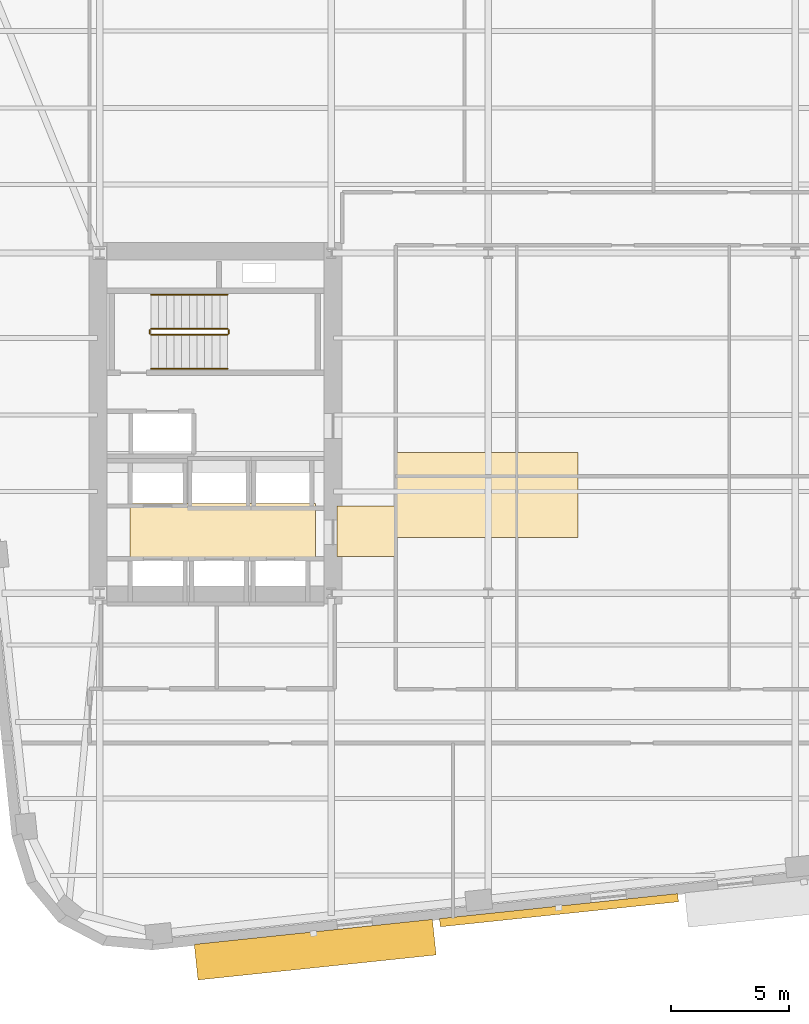
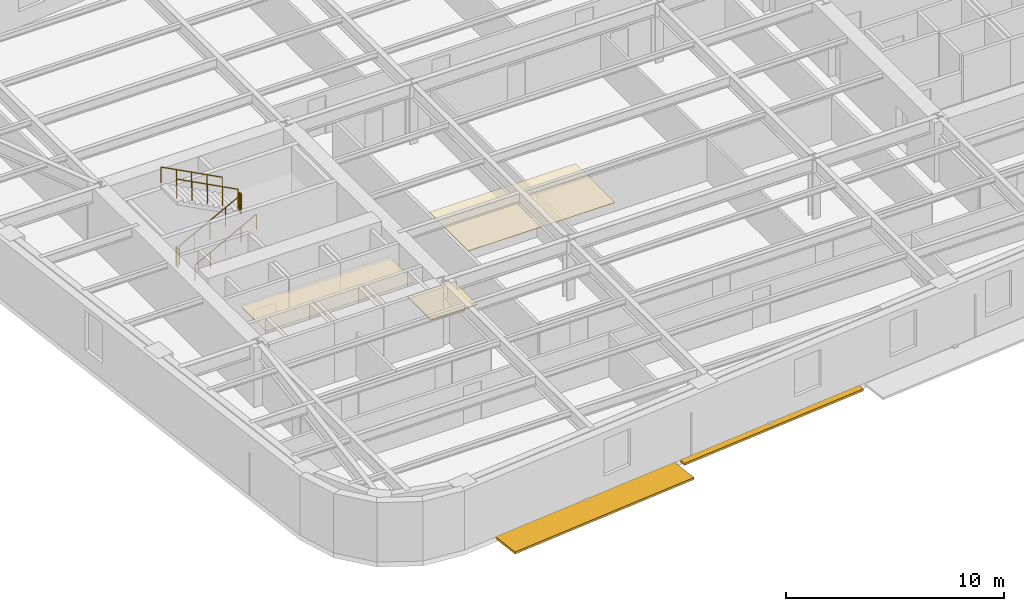
# One storey, part 8 of 12: 6 railings, 3 coverings, 2 shading devices.
"""IFC4 building model written with IfcOpenShell, lengths in metres."""

from ifc_helpers import new_model, si_unit, direction, frame, origin, origin_2d, place, context, subcontext, project, spatial, polyline, rectangle, circle, outline, extrude, material, layer, layer_set, type_object, element, save


model = new_model("IFC4")

# Units and contexts
model_context = context("Model", 3, precision=1e-05, world=origin(), true_north=direction((0.0, 1.0)))
body_context = subcontext(model_context, "Body", "Model", "MODEL_VIEW")
ifc_project = project(units=[si_unit("LENGTHUNIT", "METRE"), si_unit("AREAUNIT", "SQUARE_METRE"), si_unit("VOLUMEUNIT", "CUBIC_METRE"), si_unit("PLANEANGLEUNIT", "RADIAN"), si_unit("MASSUNIT", "GRAM", prefix="KILO")], contexts=[model_context])

# Site, building, storey
site_placement = place(None, origin())
site = spatial("IfcSite", under=ifc_project, at=site_placement, CompositionType="ELEMENT")
building_placement = place(site_placement, origin())
building = spatial("IfcBuilding", under=site, at=building_placement, Name="Kolvaren Arena Tower", CompositionType="ELEMENT")
storey_placement = place(building_placement, frame((0.0, 0.0, 149.5)))
storey = spatial("IfcBuildingStorey", under=building, at=storey_placement, Name="L35", CompositionType="ELEMENT", Elevation=149.5)

# Coverings
ifc_material_1 = material(Name="Mineral fibre acoustic ceiling tile", Category="gypsum")
ifc_layer_1 = layer(ifc_material_1, 0.02490234375)
ifc_layer_set_1 = layer_set([ifc_layer_1], Name="Mineral fibre acoustic ceiling tile")
covering_type_1 = type_object("IfcCoveringType", Name="CEIL-ACT-1", PredefinedType="CEILING", material=ifc_layer_set_1)
covering_1_placement = place(storey_placement, frame((0.0, 0.0, 2.52001953125)))
element("IfcCovering", 1, at=covering_1_placement, inside=storey, type_object=covering_type_1, Name="Suspended Ceiling (L35)", PredefinedType="CEILING", context=body_context, shape_type="SweptSolid", body=[
    extrude(outline(polyline([(27.050048828125, 21.800048828125), (27.050048828125, 25.39990234375), (34.800048828125, 25.39990234375), (34.800048828125, 21.800048828125), (27.050048828125, 21.800048828125)])), origin(), (0.0, 0.0, 1.0), 0.02490234375),
])
ifc_material_2 = material(Name="Moisture-resistant gypsum ceiling", Category="gypsum")
ifc_layer_2 = layer(ifc_material_2, 0.030029296875)
ifc_layer_set_2 = layer_set([ifc_layer_2], Name="Moisture-resistant gypsum ceiling")
covering_type_2 = type_object("IfcCoveringType", Name="CEIL-GYP-1", PredefinedType="CEILING", material=ifc_layer_set_2)
covering_2_placement = place(storey_placement, frame((0.0, 0.0, 2.52001953125)))
element("IfcCovering", 2, at=covering_2_placement, inside=storey, type_object=covering_type_2, Name="Suspended Ceiling (L35)", PredefinedType="CEILING", context=body_context, shape_type="SweptSolid", body=[
    extrude(outline(polyline([(15.820068359375, 20.89990234375), (15.820068359375, 23.239990234375), (23.679931640625, 23.239990234375), (23.679931640625, 20.89990234375), (15.820068359375, 20.89990234375)])), origin(), (0.0, 0.0, 1.0), 0.030029296875),
])
ifc_material_3 = material(Name="Raised access office floor finish", Category="aluminium")
ifc_layer_3 = layer(ifc_material_3, 0.044921875)
ifc_layer_set_3 = layer_set([ifc_layer_3], Name="Raised access office floor finish")
covering_type_3 = type_object("IfcCoveringType", Name="FLOR-RAF-1", PredefinedType="FLOORING", material=ifc_layer_set_3)
covering_3_placement = place(storey_placement, origin())
element("IfcCovering", 3, at=covering_3_placement, inside=storey, type_object=covering_type_3, Name="Floor Finish (L35)", PredefinedType="FLOORING", context=body_context, shape_type="SweptSolid", body=[
    extrude(outline(polyline([(24.60009765625, 21.0), (24.60009765625, 23.14990234375), (27.080078125, 23.14990234375), (27.080078125, 21.0), (24.60009765625, 21.0)])), origin(), (0.0, 0.0, 1.0), 0.044921875),
])

# Railings
ifc_material_4 = material(Name="Painted galvanized steel", Category="steel")
railing_type_1 = type_object("IfcRailingType", Name="GUARD-ST-110", PredefinedType="GUARDRAIL", material=ifc_material_4)
railing_1_placement = place(storey_placement, frame((16.719970703125, 30.389892578125, 0.17041015625)))
element("IfcRailing", 4, at=railing_1_placement, inside=storey, type_object=railing_type_1, Name="L35 ST-W1 stair guard 1", PredefinedType="GUARDRAIL", context=body_context, shape_type="SweptSolid", body=[
    extrude(circle(Radius=0.02392578125, at=origin_2d()), frame((0.0, 0.0, 1.076171875), z_axis=(0.884993431791, 0.0, 0.465603506952), x_axis=(0.0, 1.0, 0.0)), (0.0, 0.0, 1.0), 3.6611328125),
    extrude(circle(Radius=0.02099609375, at=origin_2d()), origin(), (0.0, 0.0, 1.0), 1.052001953125),
    extrude(circle(Radius=0.02099609375, at=origin_2d()), frame((0.81005859375, 0.0, 0.42626953125)), (0.0, 0.0, 1.0), 1.052001953125),
    extrude(circle(Radius=0.02099609375, at=origin_2d()), frame((1.6201171875, 0.0, 0.852294921875)), (0.0, 0.0, 1.0), 1.052001953125),
    extrude(circle(Radius=0.02099609375, at=origin_2d()), frame((2.429931640625, 0.0, 1.2783203125)), (0.0, 0.0, 1.0), 1.052001953125),
    extrude(circle(Radius=0.02099609375, at=origin_2d()), frame((3.239990234375, 0.0, 1.70458984375)), (0.0, 0.0, 1.0), 1.052001953125),
])
railing_2_placement = place(storey_placement, frame((20.010009765625, 30.43994140625, 1.875)))
element("IfcRailing", 5, at=railing_2_placement, inside=storey, type_object=railing_type_1, Name="L35 ST-W1 stair guard 2", PredefinedType="GUARDRAIL", context=body_context, shape_type="SweptSolid", body=[
    extrude(circle(Radius=0.02392578125, at=origin_2d()), frame((0.0, 0.0, 1.076171875), z_axis=(0.0, 1.0, 0.0), x_axis=(-1.0, 0.0, 0.0)), (0.0, 0.0, 1.0), 0.150146484375),
    extrude(circle(Radius=0.02099609375, at=origin_2d()), origin(), (0.0, 0.0, 1.0), 1.052001953125),
    extrude(circle(Radius=0.02099609375, at=origin_2d()), frame((0.0, 0.150146484375, 0.0)), (0.0, 0.0, 1.0), 1.052001953125),
])
railing_3_placement = place(storey_placement, frame((19.9599609375, 30.639892578125, 2.04541015625)))
element("IfcRailing", 6, at=railing_3_placement, inside=storey, type_object=railing_type_1, Name="L35 ST-W1 stair guard 3", PredefinedType="GUARDRAIL", context=body_context, shape_type="SweptSolid", body=[
    extrude(circle(Radius=0.02392578125, at=origin_2d()), frame((0.0, 0.0, 1.076171875), z_axis=(-0.884993431791, 0.0, 0.465603506952), x_axis=(0.0, -1.0, 0.0)), (0.0, 0.0, 1.0), 3.6611328125),
    extrude(circle(Radius=0.02099609375, at=origin_2d()), origin(), (0.0, 0.0, 1.0), 1.052001953125),
    extrude(circle(Radius=0.02099609375, at=origin_2d()), frame((-0.81005859375, 0.0, 0.42626953125)), (0.0, 0.0, 1.0), 1.052001953125),
    extrude(circle(Radius=0.02099609375, at=origin_2d()), frame((-1.6201171875, 0.0, 0.852294921875)), (0.0, 0.0, 1.0), 1.052001953125),
    extrude(circle(Radius=0.02099609375, at=origin_2d()), frame((-2.429931640625, 0.0, 1.2783203125)), (0.0, 0.0, 1.0), 1.052001953125),
    extrude(circle(Radius=0.02099609375, at=origin_2d()), frame((-3.239990234375, 0.0, 1.70458984375)), (0.0, 0.0, 1.0), 1.052001953125),
])
railing_4_placement = place(storey_placement, frame((16.669921875, 30.43994140625, 0.0)))
element("IfcRailing", 7, at=railing_4_placement, inside=storey, type_object=railing_type_1, Name="L35 ST-W1 stair guard 4", PredefinedType="GUARDRAIL", context=body_context, shape_type="SweptSolid", body=[
    extrude(circle(Radius=0.02392578125, at=origin_2d()), frame((0.0, 0.0, 1.076171875), z_axis=(0.0, 1.0, 0.0), x_axis=(-1.0, 0.0, 0.0)), (0.0, 0.0, 1.0), 0.150146484375),
    extrude(circle(Radius=0.02099609375, at=origin_2d()), origin(), (0.0, 0.0, 1.0), 1.052001953125),
    extrude(circle(Radius=0.02099609375, at=origin_2d()), frame((0.0, 0.150146484375, 0.0)), (0.0, 0.0, 1.0), 1.052001953125),
])
ifc_material_5 = material(Name="Brushed stainless steel handrail", Category="steel")
railing_type_2 = type_object("IfcRailingType", Name="HRAIL-900", PredefinedType="HANDRAIL", material=ifc_material_5)
railing_5_placement = place(storey_placement, frame((16.719970703125, 28.949951171875, 0.17041015625)))
element("IfcRailing", 8, at=railing_5_placement, inside=storey, type_object=railing_type_2, Name="L35 ST-W1 stair handrail 1", PredefinedType="HANDRAIL", context=body_context, shape_type="SweptSolid", body=[
    extrude(circle(Radius=0.02392578125, at=origin_2d()), frame((0.0, 0.0, 0.8759765625), z_axis=(0.884993431791, 0.0, 0.465603506952), x_axis=(0.0, 1.0, 0.0)), (0.0, 0.0, 1.0), 3.6611328125),
    extrude(circle(Radius=0.02099609375, at=origin_2d()), origin(), (0.0, 0.0, 1.0), 0.851806640625),
    extrude(circle(Radius=0.02099609375, at=origin_2d()), frame((0.81005859375, 0.0, 0.42626953125)), (0.0, 0.0, 1.0), 0.851806640625),
    extrude(circle(Radius=0.02099609375, at=origin_2d()), frame((1.6201171875, 0.0, 0.852294921875)), (0.0, 0.0, 1.0), 0.851806640625),
    extrude(circle(Radius=0.02099609375, at=origin_2d()), frame((2.429931640625, 0.0, 1.2783203125)), (0.0, 0.0, 1.0), 0.851806640625),
    extrude(circle(Radius=0.02099609375, at=origin_2d()), frame((3.239990234375, 0.0, 1.70458984375)), (0.0, 0.0, 1.0), 0.851806640625),
])
railing_6_placement = place(storey_placement, frame((19.9599609375, 32.080078125, 2.04541015625)))
element("IfcRailing", 9, at=railing_6_placement, inside=storey, type_object=railing_type_2, Name="L35 ST-W1 stair handrail 2", PredefinedType="HANDRAIL", context=body_context, shape_type="SweptSolid", body=[
    extrude(circle(Radius=0.02392578125, at=origin_2d()), frame((0.0, 0.0, 0.8759765625), z_axis=(-0.884993431791, 0.0, 0.465603506952), x_axis=(0.0, -1.0, 0.0)), (0.0, 0.0, 1.0), 3.6611328125),
    extrude(circle(Radius=0.02099609375, at=origin_2d()), origin(), (0.0, 0.0, 1.0), 0.851806640625),
    extrude(circle(Radius=0.02099609375, at=origin_2d()), frame((-0.81005859375, 0.0, 0.42626953125)), (0.0, 0.0, 1.0), 0.851806640625),
    extrude(circle(Radius=0.02099609375, at=origin_2d()), frame((-1.6201171875, 0.0, 0.852294921875)), (0.0, 0.0, 1.0), 0.851806640625),
    extrude(circle(Radius=0.02099609375, at=origin_2d()), frame((-2.429931640625, 0.0, 1.2783203125)), (0.0, 0.0, 1.0), 0.851806640625),
    extrude(circle(Radius=0.02099609375, at=origin_2d()), frame((-3.239990234375, 0.0, 1.70458984375)), (0.0, 0.0, 1.0), 0.851806640625),
])

# Shading devices
ifc_material_6 = material(Name="Architectural precast GFRC and anodised aluminium sunshade", Category="concrete")
shading_device_type_1 = type_object("IfcShadingDeviceType", Name="SHAD-SINE-A", PredefinedType="USERDEFINED", material=ifc_material_6)
shading_device_1_placement = place(storey_placement, frame((33.994140625, 6.0263671875, -0.14013671875), z_axis=(0.0, 0.0, 1.0), x_axis=(-0.994522077803, -0.104526727499, 0.0)))
element("IfcShadingDevice", 10, at=shading_device_1_placement, inside=storey, type_object=shading_device_type_1, Name="Sinusoidal Slab-Edge Sunshade Louvre (L35)", ObjectType="LOUVRE", PredefinedType="USERDEFINED", context=body_context, shape_type="SweptSolid", body=[
    extrude(rectangle(XDim=10.139892578125, YDim=0.3505859375, at=origin_2d()), origin(), (0.0, 0.0, 1.0), 0.1201171875),
])
shading_device_type_2 = type_object("IfcShadingDeviceType", Name="SHAD-SINE-B", PredefinedType="JALOUSIE", material=ifc_material_6)
shading_device_2_placement = place(storey_placement, frame((23.672119140625, 4.35498046875, -0.14013671875), z_axis=(0.0, 0.0, 1.0), x_axis=(-0.994522077803, -0.104526727499, 0.0)))
element("IfcShadingDevice", 11, at=shading_device_2_placement, inside=storey, type_object=shading_device_type_2, Name="Sinusoidal Slab-Edge Sunshade Louvre (L35)", PredefinedType="JALOUSIE", context=body_context, shape_type="SweptSolid", body=[
    extrude(rectangle(XDim=10.139892578125, YDim=1.51708984375, at=origin_2d()), origin(), (0.0, 0.0, 1.0), 0.1201171875),
])

save(model, "model.ifc")
